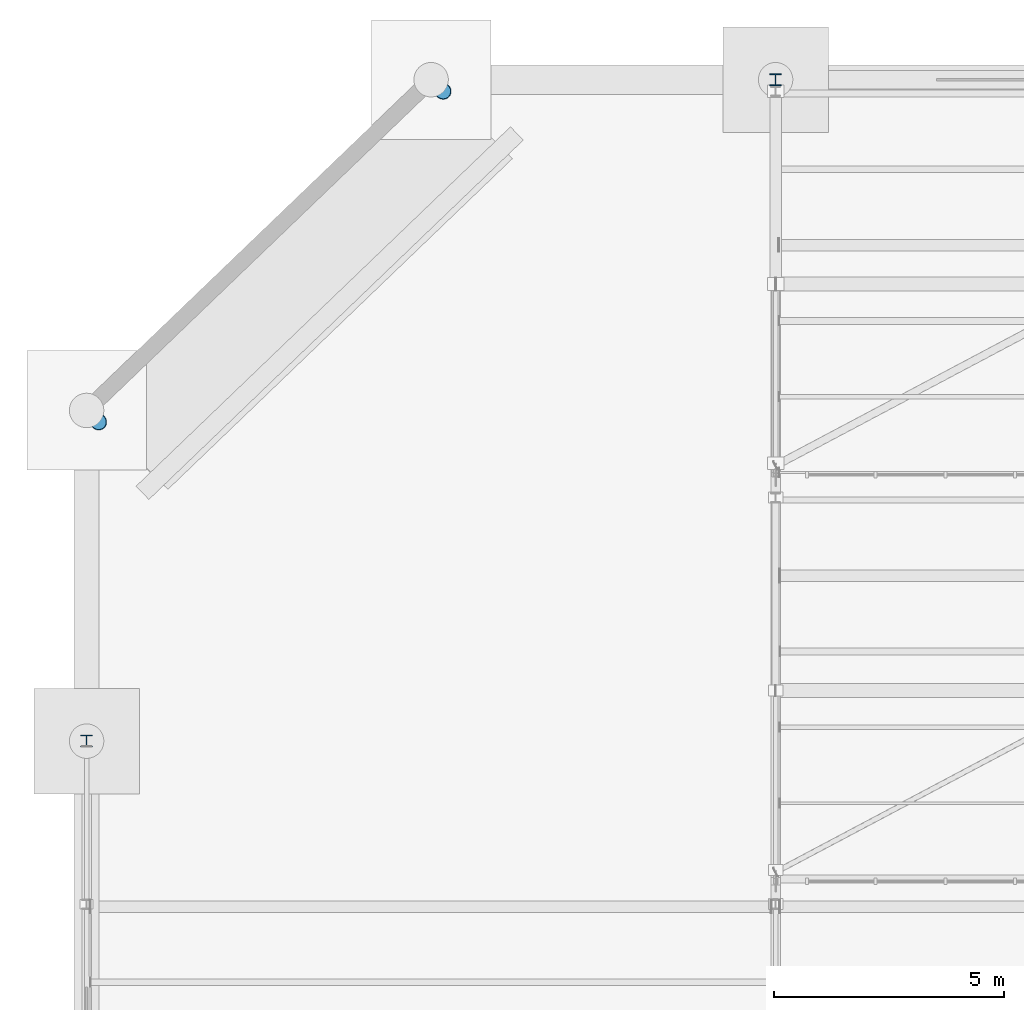
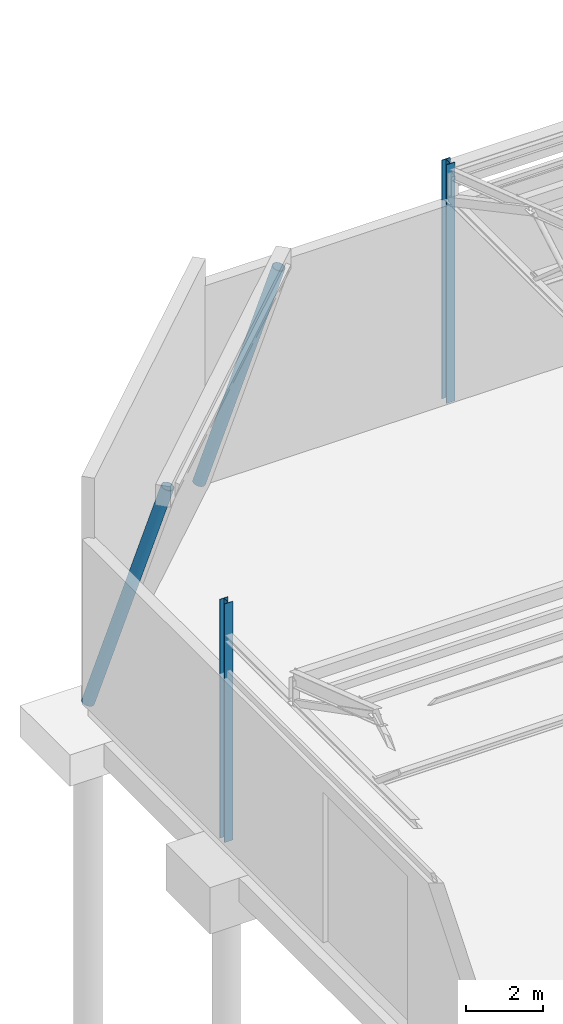
# One storey, part 34 of 285: 4 columns.
"""IFC4 building model written with IfcOpenShell, lengths in metres."""

from ifc_helpers import new_model, si_unit, direction, frame, origin, origin_2d, place, context, subcontext, project, spatial, hollow_circle, i_section, extrude, material, material_profile, profile_set, type_object, element, save


model = new_model("IFC4")

# Units and contexts
model_context = context("Model", 3, precision=1e-05, world=origin(), true_north=direction((0.0, 1.0)))
body_context = subcontext(model_context, "Body", "Model", "MODEL_VIEW")
ifc_project = project(units=[si_unit("LENGTHUNIT", "METRE"), si_unit("AREAUNIT", "SQUARE_METRE"), si_unit("VOLUMEUNIT", "CUBIC_METRE"), si_unit("PLANEANGLEUNIT", "RADIAN"), si_unit("MASSUNIT", "GRAM", prefix="KILO")], contexts=[model_context])

# Site, building, storey
site_placement = place(None, origin())
site = spatial("IfcSite", under=ifc_project, at=site_placement, CompositionType="ELEMENT")
building_placement = place(site_placement, origin())
building = spatial("IfcBuilding", under=site, at=building_placement, Name="Solanera Park Tramway Depot", CompositionType="ELEMENT")
storey_placement = place(building_placement, origin())
storey = spatial("IfcBuildingStorey", under=building, at=storey_placement, Name="L00", CompositionType="ELEMENT", Elevation=0.0)

# Columns
ifc_material_1 = material(Name="Steel AS/NZS 3679.1 Grade 350", Category="steel")
ifc_material_profile_1 = material_profile(ifc_material_1, i_section(OverallWidth=0.25390625, OverallDepth=0.25390625, WebThickness=0.008544921875, FlangeThickness=0.01416015625, at=origin_2d()), Name="250UC72.9")
ifc_profile_set_1 = profile_set([ifc_material_profile_1], Name="Steel AS/NZS 3679.1 Grade 350")
column_type_1 = type_object("IfcColumnType", Name="Steel Column Ext 250UC72.9", PredefinedType="COLUMN", material=ifc_profile_set_1)
column_1_placement = place(storey_placement, frame((0.0, 129.60009765625, 0.0), z_axis=(0.0, 0.0, 1.0), x_axis=(1.0, 0.0, 0.0)))
element("IfcColumn", 1, at=column_1_placement, inside=storey, type_object=column_type_1, Name="L00 Column V1S-X0-Y1296", PredefinedType="COLUMN", context=body_context, shape_type="SweptSolid", body=[
    extrude(i_section(OverallWidth=0.25390625, OverallDepth=0.25390625, WebThickness=0.008544921875, FlangeThickness=0.01416015625, at=origin_2d()), origin(), (0.0, 0.0, 1.0), 7.60009765625),
])
ifc_material_2 = material(Name="Steel AS/NZS 3679.1 Grade 350", Category="steel")
ifc_material_profile_2 = material_profile(ifc_material_2, i_section(OverallWidth=0.255615234375, OverallDepth=0.260009765625, WebThickness=0.010498046875, FlangeThickness=0.017333984375, at=origin_2d()), Name="250UC89.5")
ifc_profile_set_2 = profile_set([ifc_material_profile_2], Name="Steel AS/NZS 3679.1 Grade 350")
column_type_2 = type_object("IfcColumnType", Name="Steel Column Ext 250UC89.5", PredefinedType="COLUMN", material=ifc_profile_set_2)
column_2_placement = place(storey_placement, frame((15.0, 144.0, 0.0), z_axis=(0.0, 0.0, 1.0), x_axis=(1.0, 0.0, 0.0)))
element("IfcColumn", 2, at=column_2_placement, inside=storey, type_object=column_type_2, Name="L00 Column V1-X150-Y1440", PredefinedType="COLUMN", context=body_context, shape_type="SweptSolid", body=[
    extrude(i_section(OverallWidth=0.255615234375, OverallDepth=0.260009765625, WebThickness=0.010498046875, FlangeThickness=0.017333984375, at=origin_2d()), origin(), (0.0, 0.0, 1.0), 7.60009765625),
])
ifc_material_3 = material(Name="Steel AS/NZS 1163 Grade C350L0", Category="steel")
ifc_material_profile_3 = material_profile(ifc_material_3, hollow_circle(Radius=0.177734375, WallThickness=0.0126953125, at=origin_2d()), Name="355.6x12.7 CHS")
ifc_profile_set_3 = profile_set([ifc_material_profile_3], Name="Steel AS/NZS 1163 Grade C350L0")
column_type_3 = type_object("IfcColumnType", Name="Steel Column Ext 355.6x12.7 CHS", PredefinedType="COLUMN", material=ifc_profile_set_3)
for number, where, z_axis, x_axis, name in (
    (3, (7.5, 144.0, 0.0), (0.204776827534, -0.196833457878, 0.958813350327), (0.692985522291, 0.720951500377, 0.0), "V1 Carved Corner Raked Column NW-1"),
    (4, (0.0, 136.800048828125, 0.0), (0.204776827534, -0.196833457878, 0.958813350327), (0.692985522291, 0.720951500377, 0.0), "V1 Carved Corner Raked Column NW-2"),
):
    element("IfcColumn", number, at=place(storey_placement, frame(where, z_axis=z_axis, x_axis=x_axis)), inside=storey, type_object=column_type_3, Name=name, PredefinedType="COLUMN", context=body_context, shape_type="SweptSolid", body=[
        extrude(hollow_circle(Radius=0.177734375, WallThickness=0.0126953125, at=origin_2d()), origin(), (0.0, 0.0, 1.0), 7.530029296875),
    ])

save(model, "model.ifc")
